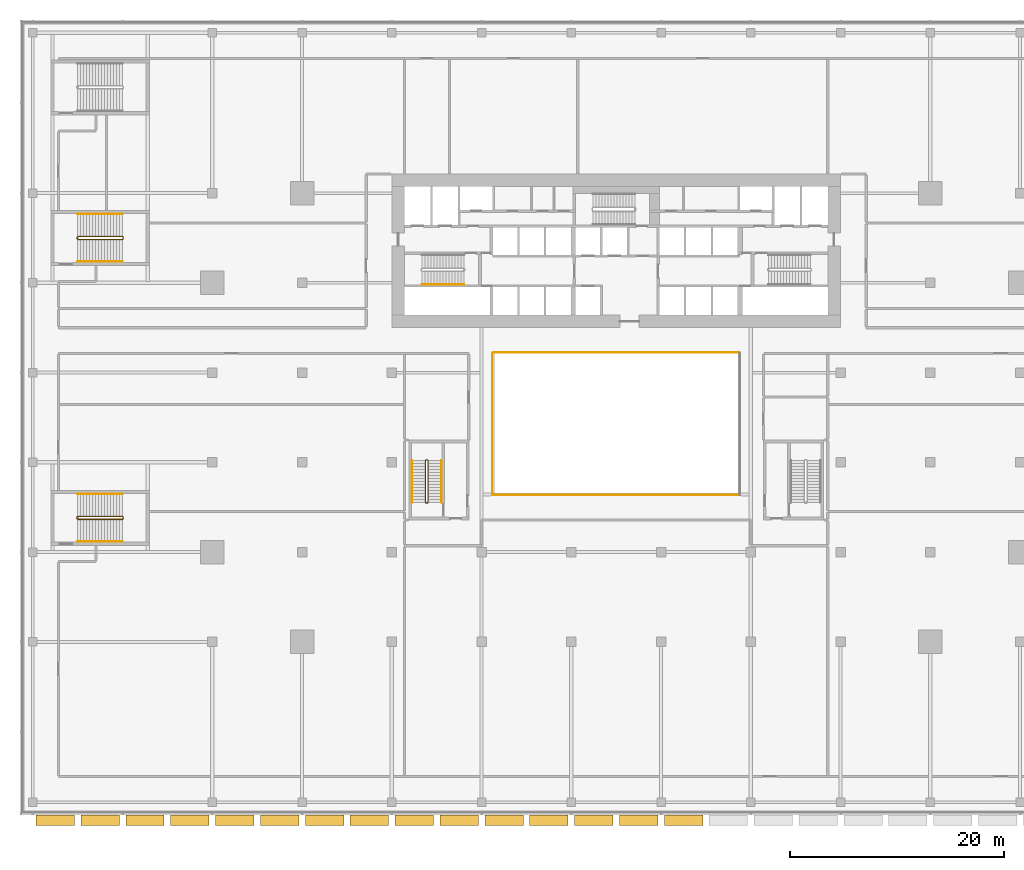
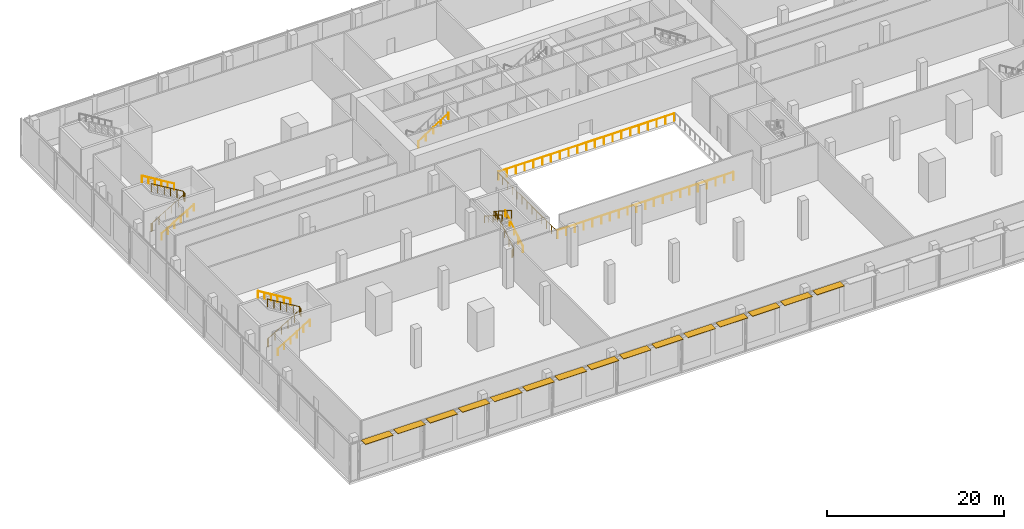
# One storey, part 37 of 39: 15 shading devices, 13 railings.
"""IFC4 building model written with IfcOpenShell, lengths in metres."""

import ifcopenshell
import ifcopenshell.guid

model = None  # the IFC model being written
_history = None  # IfcOwnerHistory: only IFC2X3 demands one
_inside = {}  # id of a spatial element -> (the spatial element, [elements in it])
_under = {}  # id of a project, library or spatial element -> (it, [spatial elements below it])
_declared = {}  # id of a project -> (the project, [libraries it declares])
_typed = {}  # id of a type object -> (the type object, [elements of that type])
_made_of = {}  # id of a material, layer set ... -> (it, [elements and type objects made of it])


def new_model(schema):
    """Start an empty IFC model of exactly this schema.

    Asked for "IFC4X3", IfcOpenShell would pick the latest addendum, in which some entities
    have other attributes; the version numbers below select the first issue.
    IFC2X3 requires an IfcOwnerHistory on every rooted entity: one is made here for all.
    """
    global model, _history
    if schema == "IFC4X3":
        model = ifcopenshell.file(schema_version=(4, 3, 0, 0))
    else:
        model = ifcopenshell.file(schema=schema)
    _inside.clear()
    _under.clear()
    _declared.clear()
    _typed.clear()
    _made_of.clear()
    _history = None
    if model.schema == "IFC2X3":
        org = make("IfcOrganization", Name="unknown")
        user = make(
            "IfcPersonAndOrganization",
            ThePerson=make("IfcPerson", FamilyName="unknown"),
            TheOrganization=org,
        )
        app = make(
            "IfcApplication",
            ApplicationDeveloper=org,
            Version="unknown",
            ApplicationFullName="unknown",
            ApplicationIdentifier="unknown",
        )
        _history = make(
            "IfcOwnerHistory",
            OwningUser=user,
            OwningApplication=app,
            ChangeAction="ADDED",
            CreationDate=0,
        )
    return model


def make(cls, **values):
    """One entity of the class cls with the attributes given. An attribute that is None is left unset."""
    return model.create_entity(
        cls, **{name: value for name, value in values.items() if value is not None}
    )


def rooted(cls, **values):
    """An entity with a GlobalId (a new one), such as an element, a storey or a relation."""
    return make(cls, GlobalId=ifcopenshell.guid.new(), OwnerHistory=_history, **values)


def si_unit(unit_type, name, prefix=None):
    """IfcSIUnit, for example si_unit("LENGTHUNIT", "METRE", prefix="MILLI")."""
    return make("IfcSIUnit", UnitType=unit_type, Prefix=prefix, Name=name)


def assignment(units):
    """IfcUnitAssignment: the units of a project."""
    return None if units is None else make("IfcUnitAssignment", Units=units)


def point(xyz):
    """IfcCartesianPoint."""
    return None if xyz is None else make("IfcCartesianPoint", Coordinates=xyz)


def direction(xyz):
    """IfcDirection."""
    return None if xyz is None else make("IfcDirection", DirectionRatios=xyz)


def frame(location, z_axis=None, x_axis=None):
    """IfcAxis2Placement3D, a coordinate frame: its origin and axes. An axis left out is left unset."""
    return make(
        "IfcAxis2Placement3D",
        Location=point(location),
        Axis=direction(z_axis),
        RefDirection=direction(x_axis),
    )


def frame_2d(location, x_axis=None):
    """IfcAxis2Placement2D, a coordinate frame in the plane: its origin and x axis."""
    return make(
        "IfcAxis2Placement2D", Location=point(location), RefDirection=direction(x_axis)
    )


def origin():
    """The frame at (0, 0, 0) with its axes left unset."""
    return frame((0.0, 0.0, 0.0))


def origin_2d():
    """The frame at (0, 0) in the plane with its x axis left unset."""
    return frame_2d((0.0, 0.0))


def place(relative_to, where):
    """IfcLocalPlacement: puts the frame where relative to a parent placement (None: the world)."""
    return make(
        "IfcLocalPlacement", PlacementRelTo=relative_to, RelativePlacement=where
    )


def context(
    kind, dimensions, precision=None, world=None, true_north=None, identifier=None
):
    """IfcGeometricRepresentationContext, for example the 3D "Model" context."""
    return make(
        "IfcGeometricRepresentationContext",
        ContextIdentifier=identifier,
        ContextType=kind,
        CoordinateSpaceDimension=dimensions,
        Precision=precision,
        WorldCoordinateSystem=world,
        TrueNorth=true_north,
    )


def subcontext(parent, identifier, kind, view, scale=None):
    """IfcGeometricRepresentationSubContext, for example "Body" below "Model"."""
    return make(
        "IfcGeometricRepresentationSubContext",
        ContextIdentifier=identifier,
        ContextType=kind,
        ParentContext=parent,
        TargetScale=scale,
        TargetView=view,
    )


def project(units=None, contexts=None):
    """IfcProject with its units and contexts."""
    return rooted(
        "IfcProject",
        Name="project",
        RepresentationContexts=contexts,
        UnitsInContext=assignment(units),
    )


def spatial(cls, under=None, at=None, **own):
    """A site, building, storey or space (cls), placed at a placement, below another one or the project."""
    s = rooted(cls, ObjectPlacement=at, **own)
    if under is not None:
        _under.setdefault(under.id(), (under, []))[1].append(s)
    return s


def profile(cls, at=None, kind="AREA", **sizes):
    """A parametric profile (cls). Its sizes go by their IFC names, for example OverallWidth=200.0."""
    return make(cls, ProfileType=kind, Position=at, **sizes)


def rectangle(**sizes):
    """IfcRectangleProfileDef."""
    return profile("IfcRectangleProfileDef", **sizes)


def circle(**sizes):
    """IfcCircleProfileDef."""
    return profile("IfcCircleProfileDef", **sizes)


def extrude(swept, where, along, depth):
    """IfcExtrudedAreaSolid: the profile swept, set in the frame where, extruded along a direction by depth."""
    return make(
        "IfcExtrudedAreaSolid",
        SweptArea=swept,
        Position=where,
        ExtrudedDirection=direction(along),
        Depth=depth,
    )


def shape(context_of_items, identifier, shape_type, items):
    """IfcShapeRepresentation: the items that make up one representation, for example the "Body"."""
    return make(
        "IfcShapeRepresentation",
        ContextOfItems=context_of_items,
        RepresentationIdentifier=identifier,
        RepresentationType=shape_type,
        Items=items,
    )


def material(Name=None, Category=None):
    """IfcMaterial."""
    return make("IfcMaterial", Name=Name, Category=Category)


def made_of(thing, what):
    """Note that an element or type object is made of a material, layer set ...; save() writes the relation."""
    if what is not None:
        _made_of.setdefault(what.id(), (what, []))[1].append(thing)
    return thing


def type_object(cls, material=None, **own):
    """A type object (cls), such as IfcWallType, which elements share."""
    return made_of(rooted(cls, **own), material)


def element(
    cls,
    number,
    at=None,
    inside=None,
    cuts=None,
    type_object=None,
    material=None,
    context=None,
    identifier="Body",
    shape_type=None,
    held_by="IfcProductDefinitionShape",
    body=None,
    shapes=None,
    **own,
):
    """One element of the class cls, such as IfcWall. Its Tag is "e" and its number.

    at: its placement. inside: the storey or other place that contains it. cuts: it is an
    opening in that element (IfcRelVoidsElement). A single representation is given by context,
    identifier, shape_type and body (its items); several are given by shapes. held_by: the class
    of the entity that holds the representations. save() writes the other relations.
    """
    e = rooted(cls, Tag="e%d" % number, ObjectPlacement=at, **own)
    if body is not None:
        shapes = [shape(context, identifier, shape_type, body)]
    if shapes is not None:
        e.Representation = make(held_by, Representations=shapes)
    if inside is not None:
        _inside.setdefault(inside.id(), (inside, []))[1].append(e)
    if cuts is not None:
        rooted(
            "IfcRelVoidsElement", RelatingBuildingElement=cuts, RelatedOpeningElement=e
        )
    if type_object is not None:
        _typed.setdefault(type_object.id(), (type_object, []))[1].append(e)
    return made_of(e, material)


def aggregate(whole, parts):
    """IfcRelAggregates: a whole, such as a stair, and the parts it consists of."""
    return rooted("IfcRelAggregates", RelatingObject=whole, RelatedObjects=parts)


def save(model, path):
    """Write the relations noted so far, then the file.

    IfcRelAggregates (storeys below a building ...), IfcRelContainedInSpatialStructure (elements
    in a storey), IfcRelDefinesByType, IfcRelAssociatesMaterial and IfcRelDeclares: one each for
    every whole, place, type object, material and project.
    """
    for whole, parts in _under.values():
        aggregate(whole, parts)
    for where, things in _inside.values():
        rooted(
            "IfcRelContainedInSpatialStructure",
            RelatedElements=things,
            RelatingStructure=where,
        )
    for kind, things in _typed.values():
        rooted("IfcRelDefinesByType", RelatedObjects=things, RelatingType=kind)
    for what, things in _made_of.values():
        rooted("IfcRelAssociatesMaterial", RelatedObjects=things, RelatingMaterial=what)
    for by, libraries in _declared.values():
        rooted("IfcRelDeclares", RelatingContext=by, RelatedDefinitions=libraries)
    model.write(path)


model = new_model("IFC4")

# Units and contexts
model_context = context("Model", 3, precision=1e-05, world=origin(), true_north=direction((0.0, 1.0)))
body_context = subcontext(model_context, "Body", "Model", "MODEL_VIEW")
ifc_project = project(units=[si_unit("LENGTHUNIT", "METRE"), si_unit("AREAUNIT", "SQUARE_METRE"), si_unit("VOLUMEUNIT", "CUBIC_METRE"), si_unit("PLANEANGLEUNIT", "RADIAN"), si_unit("MASSUNIT", "GRAM", prefix="KILO")], contexts=[model_context])

# Site, building, storey
site_placement = place(None, origin())
site = spatial("IfcSite", under=ifc_project, at=site_placement, CompositionType="ELEMENT")
building_placement = place(site_placement, origin())
building = spatial("IfcBuilding", under=site, at=building_placement, Name="Saffron Gate Tower", CompositionType="ELEMENT")
storey_placement = place(building_placement, frame((0.0, 0.0, 9.0)))
storey = spatial("IfcBuildingStorey", under=building, at=storey_placement, Name="L01", CompositionType="ELEMENT", Elevation=9.0)

# Railings
ifc_material_1 = material(Name="Stainless steel and laminated glass", Category="steel")
railing_type_1 = type_object("IfcRailingType", Name="AG1 Atrium edge guard 1100", PredefinedType="GUARDRAIL", material=ifc_material_1)
railing_1_placement = place(storey_placement, frame((76.02001953125, 45.5400390625, 0.0)))
element("IfcRailing", 1, at=railing_1_placement, inside=storey, type_object=railing_type_1, Name="Guard P1-1", PredefinedType="GUARDRAIL", context=body_context, shape_type="SweptSolid", body=[
    extrude(circle(Radius=0.02392578125, at=origin_2d()), frame((0.0, 0.0, 1.076171875), z_axis=(0.0, 1.0, 0.0), x_axis=(-1.0, 0.0, 0.0)), (0.0, 0.0, 1.0), 13.320068359375),
    extrude(circle(Radius=0.02099609375, at=origin_2d()), origin(), (0.0, 0.0, 1.0), 1.052001953125),
    extrude(circle(Radius=0.02099609375, at=origin_2d()), frame((0.0, 1.110107421875, 0.0)), (0.0, 0.0, 1.0), 1.052001953125),
    extrude(circle(Radius=0.02099609375, at=origin_2d()), frame((0.0, 2.219970703125, 0.0)), (0.0, 0.0, 1.0), 1.052001953125),
    extrude(circle(Radius=0.02099609375, at=origin_2d()), frame((0.0, 3.330078125, 0.0)), (0.0, 0.0, 1.0), 1.052001953125),
    extrude(circle(Radius=0.02099609375, at=origin_2d()), frame((0.0, 4.43994140625, 0.0)), (0.0, 0.0, 1.0), 1.052001953125),
    extrude(circle(Radius=0.02099609375, at=origin_2d()), frame((0.0, 5.550048828125, 0.0)), (0.0, 0.0, 1.0), 1.052001953125),
    extrude(circle(Radius=0.02099609375, at=origin_2d()), frame((0.0, 6.66015625, 0.0)), (0.0, 0.0, 1.0), 1.052001953125),
    extrude(circle(Radius=0.02099609375, at=origin_2d()), frame((0.0, 7.77001953125, 0.0)), (0.0, 0.0, 1.0), 1.052001953125),
    extrude(circle(Radius=0.02099609375, at=origin_2d()), frame((0.0, 8.880126953125, 0.0)), (0.0, 0.0, 1.0), 1.052001953125),
    extrude(circle(Radius=0.02099609375, at=origin_2d()), frame((0.0, 9.989990234375, 0.0)), (0.0, 0.0, 1.0), 1.052001953125),
    extrude(circle(Radius=0.02099609375, at=origin_2d()), frame((0.0, 11.10009765625, 0.0)), (0.0, 0.0, 1.0), 1.052001953125),
    extrude(circle(Radius=0.02099609375, at=origin_2d()), frame((0.0, 12.2099609375, 0.0)), (0.0, 0.0, 1.0), 1.052001953125),
    extrude(circle(Radius=0.02099609375, at=origin_2d()), frame((0.0, 13.320068359375, 0.0)), (0.0, 0.0, 1.0), 1.052001953125),
])
railing_2_placement = place(storey_placement, frame((76.139892578125, 58.860107421875, 0.0)))
element("IfcRailing", 2, at=railing_2_placement, inside=storey, type_object=railing_type_1, Name="Guard P1-2", PredefinedType="GUARDRAIL", context=body_context, shape_type="SweptSolid", body=[
    extrude(circle(Radius=0.02392578125, at=origin_2d()), frame((0.0, 0.0, 1.076171875), z_axis=(1.0, 0.0, 0.0), x_axis=(0.0, 1.0, 0.0)), (0.0, 0.0, 1.0), 22.920166015625),
    extrude(circle(Radius=0.02099609375, at=origin_2d()), origin(), (0.0, 0.0, 1.0), 1.052001953125),
    extrude(circle(Radius=0.02099609375, at=origin_2d()), frame((1.14599609375, 0.0, 0.0)), (0.0, 0.0, 1.0), 1.052001953125),
    extrude(circle(Radius=0.02099609375, at=origin_2d()), frame((2.2919921875, 0.0, 0.0)), (0.0, 0.0, 1.0), 1.052001953125),
    extrude(circle(Radius=0.02099609375, at=origin_2d()), frame((3.43798828125, 0.0, 0.0)), (0.0, 0.0, 1.0), 1.052001953125),
    extrude(circle(Radius=0.02099609375, at=origin_2d()), frame((4.583984375, 0.0, 0.0)), (0.0, 0.0, 1.0), 1.052001953125),
    extrude(circle(Radius=0.02099609375, at=origin_2d()), frame((5.72998046875, 0.0, 0.0)), (0.0, 0.0, 1.0), 1.052001953125),
    extrude(circle(Radius=0.02099609375, at=origin_2d()), frame((6.8759765625, 0.0, 0.0)), (0.0, 0.0, 1.0), 1.052001953125),
    extrude(circle(Radius=0.02099609375, at=origin_2d()), frame((8.02197265625, 0.0, 0.0)), (0.0, 0.0, 1.0), 1.052001953125),
    extrude(circle(Radius=0.02099609375, at=origin_2d()), frame((9.16796875, 0.0, 0.0)), (0.0, 0.0, 1.0), 1.052001953125),
    extrude(circle(Radius=0.02099609375, at=origin_2d()), frame((10.31396484375, 0.0, 0.0)), (0.0, 0.0, 1.0), 1.052001953125),
    extrude(circle(Radius=0.02099609375, at=origin_2d()), frame((11.4599609375, 0.0, 0.0)), (0.0, 0.0, 1.0), 1.052001953125),
    extrude(circle(Radius=0.02099609375, at=origin_2d()), frame((12.606201171875, 0.0, 0.0)), (0.0, 0.0, 1.0), 1.052001953125),
    extrude(circle(Radius=0.02099609375, at=origin_2d()), frame((13.752197265625, 0.0, 0.0)), (0.0, 0.0, 1.0), 1.052001953125),
    extrude(circle(Radius=0.02099609375, at=origin_2d()), frame((14.898193359375, 0.0, 0.0)), (0.0, 0.0, 1.0), 1.052001953125),
    extrude(circle(Radius=0.02099609375, at=origin_2d()), frame((16.044189453125, 0.0, 0.0)), (0.0, 0.0, 1.0), 1.052001953125),
    extrude(circle(Radius=0.02099609375, at=origin_2d()), frame((17.190185546875, 0.0, 0.0)), (0.0, 0.0, 1.0), 1.052001953125),
    extrude(circle(Radius=0.02099609375, at=origin_2d()), frame((18.336181640625, 0.0, 0.0)), (0.0, 0.0, 1.0), 1.052001953125),
    extrude(circle(Radius=0.02099609375, at=origin_2d()), frame((19.482177734375, 0.0, 0.0)), (0.0, 0.0, 1.0), 1.052001953125),
    extrude(circle(Radius=0.02099609375, at=origin_2d()), frame((20.628173828125, 0.0, 0.0)), (0.0, 0.0, 1.0), 1.052001953125),
    extrude(circle(Radius=0.02099609375, at=origin_2d()), frame((21.774169921875, 0.0, 0.0)), (0.0, 0.0, 1.0), 1.052001953125),
    extrude(circle(Radius=0.02099609375, at=origin_2d()), frame((22.920166015625, 0.0, 0.0)), (0.0, 0.0, 1.0), 1.052001953125),
])
railing_3_placement = place(storey_placement, frame((99.06005859375, 45.5400390625, 0.0)))
element("IfcRailing", 3, at=railing_3_placement, inside=storey, type_object=railing_type_1, Name="Guard P1-4", PredefinedType="GUARDRAIL", context=body_context, shape_type="SweptSolid", body=[
    extrude(circle(Radius=0.02392578125, at=origin_2d()), frame((0.0, 0.0, 1.076171875), z_axis=(-1.0, 0.0, 0.0), x_axis=(0.0, -1.0, 0.0)), (0.0, 0.0, 1.0), 22.920166015625),
    extrude(circle(Radius=0.02099609375, at=origin_2d()), origin(), (0.0, 0.0, 1.0), 1.052001953125),
    extrude(circle(Radius=0.02099609375, at=origin_2d()), frame((-1.14599609375, 0.0, 0.0)), (0.0, 0.0, 1.0), 1.052001953125),
    extrude(circle(Radius=0.02099609375, at=origin_2d()), frame((-2.2919921875, 0.0, 0.0)), (0.0, 0.0, 1.0), 1.052001953125),
    extrude(circle(Radius=0.02099609375, at=origin_2d()), frame((-3.43798828125, 0.0, 0.0)), (0.0, 0.0, 1.0), 1.052001953125),
    extrude(circle(Radius=0.02099609375, at=origin_2d()), frame((-4.583984375, 0.0, 0.0)), (0.0, 0.0, 1.0), 1.052001953125),
    extrude(circle(Radius=0.02099609375, at=origin_2d()), frame((-5.72998046875, 0.0, 0.0)), (0.0, 0.0, 1.0), 1.052001953125),
    extrude(circle(Radius=0.02099609375, at=origin_2d()), frame((-6.8759765625, 0.0, 0.0)), (0.0, 0.0, 1.0), 1.052001953125),
    extrude(circle(Radius=0.02099609375, at=origin_2d()), frame((-8.02197265625, 0.0, 0.0)), (0.0, 0.0, 1.0), 1.052001953125),
    extrude(circle(Radius=0.02099609375, at=origin_2d()), frame((-9.16796875, 0.0, 0.0)), (0.0, 0.0, 1.0), 1.052001953125),
    extrude(circle(Radius=0.02099609375, at=origin_2d()), frame((-10.31396484375, 0.0, 0.0)), (0.0, 0.0, 1.0), 1.052001953125),
    extrude(circle(Radius=0.02099609375, at=origin_2d()), frame((-11.4599609375, 0.0, 0.0)), (0.0, 0.0, 1.0), 1.052001953125),
    extrude(circle(Radius=0.02099609375, at=origin_2d()), frame((-12.606201171875, 0.0, 0.0)), (0.0, 0.0, 1.0), 1.052001953125),
    extrude(circle(Radius=0.02099609375, at=origin_2d()), frame((-13.752197265625, 0.0, 0.0)), (0.0, 0.0, 1.0), 1.052001953125),
    extrude(circle(Radius=0.02099609375, at=origin_2d()), frame((-14.898193359375, 0.0, 0.0)), (0.0, 0.0, 1.0), 1.052001953125),
    extrude(circle(Radius=0.02099609375, at=origin_2d()), frame((-16.044189453125, 0.0, 0.0)), (0.0, 0.0, 1.0), 1.052001953125),
    extrude(circle(Radius=0.02099609375, at=origin_2d()), frame((-17.190185546875, 0.0, 0.0)), (0.0, 0.0, 1.0), 1.052001953125),
    extrude(circle(Radius=0.02099609375, at=origin_2d()), frame((-18.336181640625, 0.0, 0.0)), (0.0, 0.0, 1.0), 1.052001953125),
    extrude(circle(Radius=0.02099609375, at=origin_2d()), frame((-19.482177734375, 0.0, 0.0)), (0.0, 0.0, 1.0), 1.052001953125),
    extrude(circle(Radius=0.02099609375, at=origin_2d()), frame((-20.628173828125, 0.0, 0.0)), (0.0, 0.0, 1.0), 1.052001953125),
    extrude(circle(Radius=0.02099609375, at=origin_2d()), frame((-21.774169921875, 0.0, 0.0)), (0.0, 0.0, 1.0), 1.052001953125),
    extrude(circle(Radius=0.02099609375, at=origin_2d()), frame((-22.920166015625, 0.0, 0.0)), (0.0, 0.0, 1.0), 1.052001953125),
])
railing_type_2 = type_object("IfcRailingType", Name="CR1 Stair guard 1100", PredefinedType="GUARDRAIL", material=ifc_material_1)
railing_4_placement = place(storey_placement, frame((69.800048828125, 44.800048828125, 0.0)))
element("IfcRailing", 4, at=railing_4_placement, inside=storey, type_object=railing_type_2, Name="L01 ST-D stair guard 1", PredefinedType="GUARDRAIL", context=body_context, shape_type="SweptSolid", body=[
    extrude(circle(Radius=0.02392578125, at=origin_2d()), frame((0.0, 0.0, 1.076171875), z_axis=(1.0, 0.0, 0.0), x_axis=(0.0, 1.0, 0.0)), (0.0, 0.0, 1.0), 0.14990234375),
    extrude(circle(Radius=0.02392578125, at=origin_2d()), frame((0.14990234375, 0.0, 1.076171875), z_axis=(0.258847668887, 0.258847668887, 0.930588936439), x_axis=(-0.707106781187, 0.707106781187, 0.0)), (0.0, 0.0, 1.0), 0.193359375),
    extrude(circle(Radius=0.02392578125, at=origin_2d()), frame((0.199951171875, 0.050048828125, 1.255859375), z_axis=(0.0, 0.841171666519, 0.540768182723), x_axis=(-1.0, 0.0, 0.0)), (0.0, 0.0, 1.0), 4.66015625),
    extrude(circle(Radius=0.02392578125, at=origin_2d()), frame((0.199951171875, 3.969970703125, 3.77587890625), z_axis=(-0.707106781187, 0.707106781187, 0.0), x_axis=(-0.707106781187, -0.707106781187, 0.0)), (0.0, 0.0, 1.0), 0.07080078125),
    extrude(circle(Radius=0.02392578125, at=origin_2d()), frame((0.14990234375, 4.02001953125, 3.77587890625), z_axis=(-1.0, 0.0, 0.0), x_axis=(0.0, -1.0, 0.0)), (0.0, 0.0, 1.0), 0.14990234375),
    extrude(circle(Radius=0.02392578125, at=origin_2d()), frame((0.0, 4.02001953125, 3.77587890625), z_axis=(-0.258847668887, -0.258847668887, 0.930588936439), x_axis=(0.707106781187, -0.707106781187, 0.0)), (0.0, 0.0, 1.0), 0.193359375),
    extrude(circle(Radius=0.02392578125, at=origin_2d()), frame((-0.050048828125, 3.969970703125, 3.9560546875), z_axis=(0.0, -0.841171666519, 0.540768182723), x_axis=(1.0, 0.0, 0.0)), (0.0, 0.0, 1.0), 4.66015625),
    extrude(circle(Radius=0.02099609375, at=origin_2d()), origin(), (0.0, 0.0, 1.0), 1.052001953125),
    extrude(circle(Radius=0.02099609375, at=origin_2d()), frame((0.14990234375, 0.0, 0.0)), (0.0, 0.0, 1.0), 1.052001953125),
    extrude(circle(Radius=0.02099609375, at=origin_2d()), frame((0.199951171875, 0.050048828125, 0.179931640625)), (0.0, 0.0, 1.0), 1.052001953125),
    extrude(circle(Radius=0.02099609375, at=origin_2d()), frame((0.199951171875, 1.030029296875, 0.81005859375)), (0.0, 0.0, 1.0), 1.052001953125),
    extrude(circle(Radius=0.02099609375, at=origin_2d()), frame((0.199951171875, 2.010009765625, 1.43994140625)), (0.0, 0.0, 1.0), 1.052001953125),
    extrude(circle(Radius=0.02099609375, at=origin_2d()), frame((0.199951171875, 2.989990234375, 2.06982421875)), (0.0, 0.0, 1.0), 1.052001953125),
    extrude(circle(Radius=0.02099609375, at=origin_2d()), frame((0.199951171875, 3.969970703125, 2.699951171875)), (0.0, 0.0, 1.0), 1.052001953125),
    extrude(circle(Radius=0.02099609375, at=origin_2d()), frame((0.14990234375, 4.02001953125, 2.699951171875)), (0.0, 0.0, 1.0), 1.052001953125),
    extrude(circle(Radius=0.02099609375, at=origin_2d()), frame((0.0, 4.02001953125, 2.699951171875)), (0.0, 0.0, 1.0), 1.052001953125),
    extrude(circle(Radius=0.02099609375, at=origin_2d()), frame((-0.050048828125, 3.969970703125, 2.8798828125)), (0.0, 0.0, 1.0), 1.052001953125),
    extrude(circle(Radius=0.02099609375, at=origin_2d()), frame((-0.050048828125, 2.989990234375, 3.509765625)), (0.0, 0.0, 1.0), 1.052001953125),
    extrude(circle(Radius=0.02099609375, at=origin_2d()), frame((-0.050048828125, 2.010009765625, 4.139892578125)), (0.0, 0.0, 1.0), 1.052001953125),
    extrude(circle(Radius=0.02099609375, at=origin_2d()), frame((-0.050048828125, 1.030029296875, 4.77001953125)), (0.0, 0.0, 1.0), 1.052001953125),
    extrude(circle(Radius=0.02099609375, at=origin_2d()), frame((-0.050048828125, 0.050048828125, 5.39990234375)), (0.0, 0.0, 1.0), 1.052001953125),
])
railing_5_placement = place(storey_placement, frame((37.14990234375, 69.675048828125, 0.0)))
element("IfcRailing", 5, at=railing_5_placement, inside=storey, type_object=railing_type_2, Name="L01 ST-G stair guard 1", PredefinedType="GUARDRAIL", context=body_context, shape_type="SweptSolid", body=[
    extrude(circle(Radius=0.02392578125, at=origin_2d()), frame((0.0, 0.0, 1.076171875), z_axis=(0.0, -1.0, 0.0), x_axis=(1.0, 0.0, 0.0)), (0.0, 0.0, 1.0), 0.150146484375),
    extrude(circle(Radius=0.02392578125, at=origin_2d()), frame((0.0, -0.150146484375, 1.076171875), z_axis=(0.273668752699, -0.272333783174, 0.922463942026), x_axis=(0.705375805398, 0.708833529934, 0.0)), (0.0, 0.0, 1.0), 0.182861328125),
    extrude(circle(Radius=0.02392578125, at=origin_2d()), frame((0.050048828125, -0.199951171875, 1.24462890625), z_axis=(0.856476492594, 0.0, 0.516186030065), x_axis=(0.0, 1.0, 0.0)), (0.0, 0.0, 1.0), 4.90380859375),
    extrude(circle(Radius=0.02392578125, at=origin_2d()), frame((4.25, -0.199951171875, 3.77587890625), z_axis=(0.708833529934, 0.705375805398, 0.0), x_axis=(-0.705375805398, 0.708833529934, 0.0)), (0.0, 0.0, 1.0), 0.070556640625),
    extrude(circle(Radius=0.02392578125, at=origin_2d()), frame((4.300048828125, -0.150146484375, 3.77587890625), z_axis=(0.0, 1.0, 0.0), x_axis=(-1.0, 0.0, 0.0)), (0.0, 0.0, 1.0), 0.150146484375),
    extrude(circle(Radius=0.02392578125, at=origin_2d()), frame((4.300048828125, 0.0, 3.77587890625), z_axis=(-0.273569069059, 0.273569069059, 0.922127935218), x_axis=(-0.707106781187, -0.707106781187, 0.0)), (0.0, 0.0, 1.0), 0.182861328125),
    extrude(circle(Radius=0.02392578125, at=origin_2d()), frame((4.25, 0.050048828125, 3.94482421875), z_axis=(-0.856476492594, 0.0, 0.516186030065), x_axis=(0.0, -1.0, 0.0)), (0.0, 0.0, 1.0), 4.90380859375),
    extrude(circle(Radius=0.02099609375, at=origin_2d()), origin(), (0.0, 0.0, 1.0), 1.052001953125),
    extrude(circle(Radius=0.02099609375, at=origin_2d()), frame((0.0, -0.150146484375, 0.0)), (0.0, 0.0, 1.0), 1.052001953125),
    extrude(circle(Radius=0.02099609375, at=origin_2d()), frame((0.050048828125, -0.199951171875, 0.168701171875)), (0.0, 0.0, 1.0), 1.052001953125),
    extrude(circle(Radius=0.02099609375, at=origin_2d()), frame((0.89013671875, -0.199951171875, 0.675048828125)), (0.0, 0.0, 1.0), 1.052001953125),
    extrude(circle(Radius=0.02099609375, at=origin_2d()), frame((1.72998046875, -0.199951171875, 1.18115234375)), (0.0, 0.0, 1.0), 1.052001953125),
    extrude(circle(Radius=0.02099609375, at=origin_2d()), frame((2.570068359375, -0.199951171875, 1.6875)), (0.0, 0.0, 1.0), 1.052001953125),
    extrude(circle(Radius=0.02099609375, at=origin_2d()), frame((3.409912109375, -0.199951171875, 2.193603515625)), (0.0, 0.0, 1.0), 1.052001953125),
    extrude(circle(Radius=0.02099609375, at=origin_2d()), frame((4.25, -0.199951171875, 2.699951171875)), (0.0, 0.0, 1.0), 1.052001953125),
    extrude(circle(Radius=0.02099609375, at=origin_2d()), frame((4.300048828125, -0.150146484375, 2.699951171875)), (0.0, 0.0, 1.0), 1.052001953125),
    extrude(circle(Radius=0.02099609375, at=origin_2d()), frame((4.300048828125, 0.0, 2.699951171875)), (0.0, 0.0, 1.0), 1.052001953125),
    extrude(circle(Radius=0.02099609375, at=origin_2d()), frame((4.25, 0.050048828125, 2.86865234375)), (0.0, 0.0, 1.0), 1.052001953125),
    extrude(circle(Radius=0.02099609375, at=origin_2d()), frame((3.409912109375, 0.050048828125, 3.375)), (0.0, 0.0, 1.0), 1.052001953125),
    extrude(circle(Radius=0.02099609375, at=origin_2d()), frame((2.570068359375, 0.050048828125, 3.881103515625)), (0.0, 0.0, 1.0), 1.052001953125),
    extrude(circle(Radius=0.02099609375, at=origin_2d()), frame((1.72998046875, 0.050048828125, 4.387451171875)), (0.0, 0.0, 1.0), 1.052001953125),
    extrude(circle(Radius=0.02099609375, at=origin_2d()), frame((0.89013671875, 0.050048828125, 4.8935546875)), (0.0, 0.0, 1.0), 1.052001953125),
    extrude(circle(Radius=0.02099609375, at=origin_2d()), frame((0.050048828125, 0.050048828125, 5.39990234375)), (0.0, 0.0, 1.0), 1.052001953125),
])
railing_6_placement = place(storey_placement, frame((37.14990234375, 43.47509765625, 0.0)))
element("IfcRailing", 6, at=railing_6_placement, inside=storey, type_object=railing_type_2, Name="L01 ST-H stair guard 1", PredefinedType="GUARDRAIL", context=body_context, shape_type="SweptSolid", body=[
    extrude(circle(Radius=0.02392578125, at=origin_2d()), frame((0.0, 0.0, 1.076171875), z_axis=(0.0, -1.0, 0.0), x_axis=(1.0, 0.0, 0.0)), (0.0, 0.0, 1.0), 0.150146484375),
    extrude(circle(Radius=0.02392578125, at=origin_2d()), frame((0.0, -0.150146484375, 1.076171875), z_axis=(0.273569069059, -0.273569069059, 0.922127935218), x_axis=(0.707106781187, 0.707106781187, 0.0)), (0.0, 0.0, 1.0), 0.182861328125),
    extrude(circle(Radius=0.02392578125, at=origin_2d()), frame((0.050048828125, -0.2001953125, 1.24462890625), z_axis=(0.856476492594, 0.0, 0.516186030065), x_axis=(0.0, 1.0, 0.0)), (0.0, 0.0, 1.0), 4.90380859375),
    extrude(circle(Radius=0.02392578125, at=origin_2d()), frame((4.25, -0.2001953125, 3.77587890625), z_axis=(0.707106781187, 0.707106781187, 0.0), x_axis=(-0.707106781187, 0.707106781187, 0.0)), (0.0, 0.0, 1.0), 0.07080078125),
    extrude(circle(Radius=0.02392578125, at=origin_2d()), frame((4.300048828125, -0.150146484375, 3.77587890625), z_axis=(0.0, 1.0, 0.0), x_axis=(-1.0, 0.0, 0.0)), (0.0, 0.0, 1.0), 0.150146484375),
    extrude(circle(Radius=0.02392578125, at=origin_2d()), frame((4.300048828125, 0.0, 3.77587890625), z_axis=(-0.273668752699, 0.272333783174, 0.922463942026), x_axis=(-0.705375805398, -0.708833529934, 0.0)), (0.0, 0.0, 1.0), 0.182861328125),
    extrude(circle(Radius=0.02392578125, at=origin_2d()), frame((4.25, 0.0498046875, 3.94482421875), z_axis=(-0.856476492594, 0.0, 0.516186030065), x_axis=(0.0, -1.0, 0.0)), (0.0, 0.0, 1.0), 4.90380859375),
    extrude(circle(Radius=0.02099609375, at=origin_2d()), origin(), (0.0, 0.0, 1.0), 1.052001953125),
    extrude(circle(Radius=0.02099609375, at=origin_2d()), frame((0.0, -0.150146484375, 0.0)), (0.0, 0.0, 1.0), 1.052001953125),
    extrude(circle(Radius=0.02099609375, at=origin_2d()), frame((0.050048828125, -0.2001953125, 0.168701171875)), (0.0, 0.0, 1.0), 1.052001953125),
    extrude(circle(Radius=0.02099609375, at=origin_2d()), frame((0.89013671875, -0.2001953125, 0.675048828125)), (0.0, 0.0, 1.0), 1.052001953125),
    extrude(circle(Radius=0.02099609375, at=origin_2d()), frame((1.72998046875, -0.2001953125, 1.18115234375)), (0.0, 0.0, 1.0), 1.052001953125),
    extrude(circle(Radius=0.02099609375, at=origin_2d()), frame((2.570068359375, -0.2001953125, 1.6875)), (0.0, 0.0, 1.0), 1.052001953125),
    extrude(circle(Radius=0.02099609375, at=origin_2d()), frame((3.409912109375, -0.2001953125, 2.193603515625)), (0.0, 0.0, 1.0), 1.052001953125),
    extrude(circle(Radius=0.02099609375, at=origin_2d()), frame((4.25, -0.2001953125, 2.699951171875)), (0.0, 0.0, 1.0), 1.052001953125),
    extrude(circle(Radius=0.02099609375, at=origin_2d()), frame((4.300048828125, -0.150146484375, 2.699951171875)), (0.0, 0.0, 1.0), 1.052001953125),
    extrude(circle(Radius=0.02099609375, at=origin_2d()), frame((4.300048828125, 0.0, 2.699951171875)), (0.0, 0.0, 1.0), 1.052001953125),
    extrude(circle(Radius=0.02099609375, at=origin_2d()), frame((4.25, 0.0498046875, 2.86865234375)), (0.0, 0.0, 1.0), 1.052001953125),
    extrude(circle(Radius=0.02099609375, at=origin_2d()), frame((3.409912109375, 0.0498046875, 3.375)), (0.0, 0.0, 1.0), 1.052001953125),
    extrude(circle(Radius=0.02099609375, at=origin_2d()), frame((2.570068359375, 0.0498046875, 3.881103515625)), (0.0, 0.0, 1.0), 1.052001953125),
    extrude(circle(Radius=0.02099609375, at=origin_2d()), frame((1.72998046875, 0.0498046875, 4.387451171875)), (0.0, 0.0, 1.0), 1.052001953125),
    extrude(circle(Radius=0.02099609375, at=origin_2d()), frame((0.89013671875, 0.0498046875, 4.8935546875)), (0.0, 0.0, 1.0), 1.052001953125),
    extrude(circle(Radius=0.02099609375, at=origin_2d()), frame((0.050048828125, 0.0498046875, 5.39990234375)), (0.0, 0.0, 1.0), 1.052001953125),
])
ifc_material_2 = material(Name="Stainless steel", Category="steel")
railing_type_3 = type_object("IfcRailingType", Name="CR2 Stair handrail 900", PredefinedType="HANDRAIL", material=ifc_material_2)
railing_7_placement = place(storey_placement, frame((69.429931640625, 65.25, 2.8798828125)))
element("IfcRailing", 7, at=railing_7_placement, inside=storey, type_object=railing_type_3, Name="L01 ST-A stair handrail 2", PredefinedType="HANDRAIL", context=body_context, shape_type="SweptSolid", body=[
    extrude(circle(Radius=0.02392578125, at=origin_2d()), frame((0.0, 0.0, 0.8759765625), z_axis=(0.841186985886, 0.0, 0.540744352514), x_axis=(0.0, 1.0, 0.0)), (0.0, 0.0, 1.0), 4.660400390625),
    extrude(circle(Radius=0.02099609375, at=origin_2d()), origin(), (0.0, 0.0, 1.0), 0.851806640625),
    extrude(circle(Radius=0.02099609375, at=origin_2d()), frame((0.97998046875, 0.0, 0.6298828125)), (0.0, 0.0, 1.0), 0.851806640625),
    extrude(circle(Radius=0.02099609375, at=origin_2d()), frame((1.9599609375, 0.0, 1.260009765625)), (0.0, 0.0, 1.0), 0.851806640625),
    extrude(circle(Radius=0.02099609375, at=origin_2d()), frame((2.940185546875, 0.0, 1.89013671875)), (0.0, 0.0, 1.0), 0.851806640625),
    extrude(circle(Radius=0.02099609375, at=origin_2d()), frame((3.920166015625, 0.0, 2.52001953125)), (0.0, 0.0, 1.0), 0.851806640625),
])
railing_8_placement = place(storey_placement, frame((71.25, 44.85009765625, 0.179931640625)))
element("IfcRailing", 8, at=railing_8_placement, inside=storey, type_object=railing_type_3, Name="L01 ST-D stair handrail 1", PredefinedType="HANDRAIL", context=body_context, shape_type="SweptSolid", body=[
    extrude(circle(Radius=0.02392578125, at=origin_2d()), frame((0.0, 0.0, 0.8759765625), z_axis=(0.0, 0.841171666519, 0.540768182723), x_axis=(-1.0, 0.0, 0.0)), (0.0, 0.0, 1.0), 4.66015625),
    extrude(circle(Radius=0.02099609375, at=origin_2d()), origin(), (0.0, 0.0, 1.0), 0.851806640625),
    extrude(circle(Radius=0.02099609375, at=origin_2d()), frame((0.0, 0.97998046875, 0.6298828125)), (0.0, 0.0, 1.0), 0.851806640625),
    extrude(circle(Radius=0.02099609375, at=origin_2d()), frame((0.0, 1.9599609375, 1.260009765625)), (0.0, 0.0, 1.0), 0.851806640625),
    extrude(circle(Radius=0.02099609375, at=origin_2d()), frame((0.0, 2.93994140625, 1.89013671875)), (0.0, 0.0, 1.0), 0.851806640625),
    extrude(circle(Radius=0.02099609375, at=origin_2d()), frame((0.0, 3.919921875, 2.52001953125)), (0.0, 0.0, 1.0), 0.851806640625),
])
railing_9_placement = place(storey_placement, frame((68.5, 48.77001953125, 2.8798828125)))
element("IfcRailing", 9, at=railing_9_placement, inside=storey, type_object=railing_type_3, Name="L01 ST-D stair handrail 2", PredefinedType="HANDRAIL", context=body_context, shape_type="SweptSolid", body=[
    extrude(circle(Radius=0.02392578125, at=origin_2d()), frame((0.0, 0.0, 0.8759765625), z_axis=(0.0, -0.841171666519, 0.540768182723), x_axis=(1.0, 0.0, 0.0)), (0.0, 0.0, 1.0), 4.66015625),
    extrude(circle(Radius=0.02099609375, at=origin_2d()), origin(), (0.0, 0.0, 1.0), 0.851806640625),
    extrude(circle(Radius=0.02099609375, at=origin_2d()), frame((0.0, -0.97998046875, 0.6298828125)), (0.0, 0.0, 1.0), 0.851806640625),
    extrude(circle(Radius=0.02099609375, at=origin_2d()), frame((0.0, -1.9599609375, 1.260009765625)), (0.0, 0.0, 1.0), 0.851806640625),
    extrude(circle(Radius=0.02099609375, at=origin_2d()), frame((0.0, -2.93994140625, 1.89013671875)), (0.0, 0.0, 1.0), 0.851806640625),
    extrude(circle(Radius=0.02099609375, at=origin_2d()), frame((0.0, -3.919921875, 2.52001953125)), (0.0, 0.0, 1.0), 0.851806640625),
])
railing_10_placement = place(storey_placement, frame((37.199951171875, 67.375, 0.168701171875)))
element("IfcRailing", 10, at=railing_10_placement, inside=storey, type_object=railing_type_3, Name="L01 ST-G stair handrail 1", PredefinedType="HANDRAIL", context=body_context, shape_type="SweptSolid", body=[
    extrude(circle(Radius=0.02392578125, at=origin_2d()), frame((0.0, 0.0, 0.8759765625), z_axis=(0.856476492594, 0.0, 0.516186030065), x_axis=(0.0, 1.0, 0.0)), (0.0, 0.0, 1.0), 4.90380859375),
    extrude(circle(Radius=0.02099609375, at=origin_2d()), origin(), (0.0, 0.0, 1.0), 0.851806640625),
    extrude(circle(Radius=0.02099609375, at=origin_2d()), frame((0.840087890625, 0.0, 0.50634765625)), (0.0, 0.0, 1.0), 0.851806640625),
    extrude(circle(Radius=0.02099609375, at=origin_2d()), frame((1.679931640625, 0.0, 1.012451171875)), (0.0, 0.0, 1.0), 0.851806640625),
    extrude(circle(Radius=0.02099609375, at=origin_2d()), frame((2.52001953125, 0.0, 1.518798828125)), (0.0, 0.0, 1.0), 0.851806640625),
    extrude(circle(Radius=0.02099609375, at=origin_2d()), frame((3.35986328125, 0.0, 2.02490234375)), (0.0, 0.0, 1.0), 0.851806640625),
    extrude(circle(Radius=0.02099609375, at=origin_2d()), frame((4.199951171875, 0.0, 2.53125)), (0.0, 0.0, 1.0), 0.851806640625),
])
railing_11_placement = place(storey_placement, frame((41.39990234375, 71.824951171875, 2.86865234375)))
element("IfcRailing", 11, at=railing_11_placement, inside=storey, type_object=railing_type_3, Name="L01 ST-G stair handrail 2", PredefinedType="HANDRAIL", context=body_context, shape_type="SweptSolid", body=[
    extrude(circle(Radius=0.02392578125, at=origin_2d()), frame((0.0, 0.0, 0.8759765625), z_axis=(-0.856476492594, 0.0, 0.516186030065), x_axis=(0.0, -1.0, 0.0)), (0.0, 0.0, 1.0), 4.90380859375),
    extrude(circle(Radius=0.02099609375, at=origin_2d()), origin(), (0.0, 0.0, 1.0), 0.851806640625),
    extrude(circle(Radius=0.02099609375, at=origin_2d()), frame((-0.840087890625, 0.0, 0.50634765625)), (0.0, 0.0, 1.0), 0.851806640625),
    extrude(circle(Radius=0.02099609375, at=origin_2d()), frame((-1.679931640625, 0.0, 1.012451171875)), (0.0, 0.0, 1.0), 0.851806640625),
    extrude(circle(Radius=0.02099609375, at=origin_2d()), frame((-2.52001953125, 0.0, 1.518798828125)), (0.0, 0.0, 1.0), 0.851806640625),
    extrude(circle(Radius=0.02099609375, at=origin_2d()), frame((-3.35986328125, 0.0, 2.02490234375)), (0.0, 0.0, 1.0), 0.851806640625),
    extrude(circle(Radius=0.02099609375, at=origin_2d()), frame((-4.199951171875, 0.0, 2.53125)), (0.0, 0.0, 1.0), 0.851806640625),
])
railing_12_placement = place(storey_placement, frame((37.199951171875, 41.175048828125, 0.168701171875)))
element("IfcRailing", 12, at=railing_12_placement, inside=storey, type_object=railing_type_3, Name="L01 ST-H stair handrail 1", PredefinedType="HANDRAIL", context=body_context, shape_type="SweptSolid", body=[
    extrude(circle(Radius=0.02392578125, at=origin_2d()), frame((0.0, 0.0, 0.8759765625), z_axis=(0.856476492594, 0.0, 0.516186030065), x_axis=(0.0, 1.0, 0.0)), (0.0, 0.0, 1.0), 4.90380859375),
    extrude(circle(Radius=0.02099609375, at=origin_2d()), origin(), (0.0, 0.0, 1.0), 0.851806640625),
    extrude(circle(Radius=0.02099609375, at=origin_2d()), frame((0.840087890625, 0.0, 0.50634765625)), (0.0, 0.0, 1.0), 0.851806640625),
    extrude(circle(Radius=0.02099609375, at=origin_2d()), frame((1.679931640625, 0.0, 1.012451171875)), (0.0, 0.0, 1.0), 0.851806640625),
    extrude(circle(Radius=0.02099609375, at=origin_2d()), frame((2.52001953125, 0.0, 1.518798828125)), (0.0, 0.0, 1.0), 0.851806640625),
    extrude(circle(Radius=0.02099609375, at=origin_2d()), frame((3.35986328125, 0.0, 2.02490234375)), (0.0, 0.0, 1.0), 0.851806640625),
    extrude(circle(Radius=0.02099609375, at=origin_2d()), frame((4.199951171875, 0.0, 2.53125)), (0.0, 0.0, 1.0), 0.851806640625),
])
railing_13_placement = place(storey_placement, frame((41.39990234375, 45.625, 2.86865234375)))
element("IfcRailing", 13, at=railing_13_placement, inside=storey, type_object=railing_type_3, Name="L01 ST-H stair handrail 2", PredefinedType="HANDRAIL", context=body_context, shape_type="SweptSolid", body=[
    extrude(circle(Radius=0.02392578125, at=origin_2d()), frame((0.0, 0.0, 0.8759765625), z_axis=(-0.856476492594, 0.0, 0.516186030065), x_axis=(0.0, -1.0, 0.0)), (0.0, 0.0, 1.0), 4.90380859375),
    extrude(circle(Radius=0.02099609375, at=origin_2d()), origin(), (0.0, 0.0, 1.0), 0.851806640625),
    extrude(circle(Radius=0.02099609375, at=origin_2d()), frame((-0.840087890625, 0.0, 0.50634765625)), (0.0, 0.0, 1.0), 0.851806640625),
    extrude(circle(Radius=0.02099609375, at=origin_2d()), frame((-1.679931640625, 0.0, 1.012451171875)), (0.0, 0.0, 1.0), 0.851806640625),
    extrude(circle(Radius=0.02099609375, at=origin_2d()), frame((-2.52001953125, 0.0, 1.518798828125)), (0.0, 0.0, 1.0), 0.851806640625),
    extrude(circle(Radius=0.02099609375, at=origin_2d()), frame((-3.35986328125, 0.0, 2.02490234375)), (0.0, 0.0, 1.0), 0.851806640625),
    extrude(circle(Radius=0.02099609375, at=origin_2d()), frame((-4.199951171875, 0.0, 2.53125)), (0.0, 0.0, 1.0), 0.851806640625),
])

# Shading devices
for number, where, z_axis, x_axis, name in (
    (14, (35.10009765625, 15.10009765625, 5.300048828125), (0.0, 0.0, 1.0), (1.0, 0.0, 0.0), "SUNSHADE bronze blade"),
    (15, (39.300048828125, 15.10009765625, 5.300048828125), (0.0, 0.0, 1.0), (1.0, 0.0, 0.0), "SUNSHADE bronze blade"),
    (16, (43.5, 15.10009765625, 5.300048828125), (0.0, 0.0, 1.0), (1.0, 0.0, 0.0), "SUNSHADE bronze blade"),
    (17, (47.699951171875, 15.10009765625, 5.300048828125), (0.0, 0.0, 1.0), (1.0, 0.0, 0.0), "SUNSHADE bronze blade"),
    (18, (51.89990234375, 15.10009765625, 5.300048828125), (0.0, 0.0, 1.0), (1.0, 0.0, 0.0), "SUNSHADE bronze blade"),
    (19, (56.10009765625, 15.10009765625, 5.300048828125), (0.0, 0.0, 1.0), (1.0, 0.0, 0.0), "SUNSHADE bronze blade"),
    (20, (60.300048828125, 15.10009765625, 5.300048828125), (0.0, 0.0, 1.0), (1.0, 0.0, 0.0), "SUNSHADE bronze blade"),
    (21, (64.5, 15.10009765625, 5.300048828125), (0.0, 0.0, 1.0), (1.0, 0.0, 0.0), "SUNSHADE bronze blade"),
    (22, (68.699951171875, 15.10009765625, 5.300048828125), (0.0, 0.0, 1.0), (1.0, 0.0, 0.0), "SUNSHADE bronze blade"),
    (23, (72.89990234375, 15.10009765625, 5.300048828125), (0.0, 0.0, 1.0), (1.0, 0.0, 0.0), "SUNSHADE bronze blade"),
    (24, (77.10009765625, 15.10009765625, 5.300048828125), (0.0, 0.0, 1.0), (1.0, 0.0, 0.0), "SUNSHADE bronze blade"),
    (25, (81.300048828125, 15.10009765625, 5.300048828125), (0.0, 0.0, 1.0), (1.0, 0.0, 0.0), "SUNSHADE bronze blade"),
    (26, (85.5, 15.10009765625, 5.300048828125), (0.0, 0.0, 1.0), (1.0, 0.0, 0.0), "SUNSHADE bronze blade"),
    (27, (89.699951171875, 15.10009765625, 5.300048828125), (0.0, 0.0, 1.0), (1.0, 0.0, 0.0), "SUNSHADE bronze blade"),
    (28, (93.89990234375, 15.10009765625, 5.300048828125), (0.0, 0.0, 1.0), (1.0, 0.0, 0.0), "SUNSHADE bronze blade"),
):
    element("IfcShadingDevice", number, at=place(storey_placement, frame(where, z_axis=z_axis, x_axis=x_axis)), inside=storey, Name=name, ObjectType="SUNSHADE", PredefinedType="USERDEFINED", context=body_context, shape_type="SweptSolid", body=[
        extrude(rectangle(XDim=3.60009765625, YDim=1.0, at=origin_2d()), origin(), (0.0, 0.0, 1.0), 0.06005859375),
    ])

save(model, "model.ifc")
